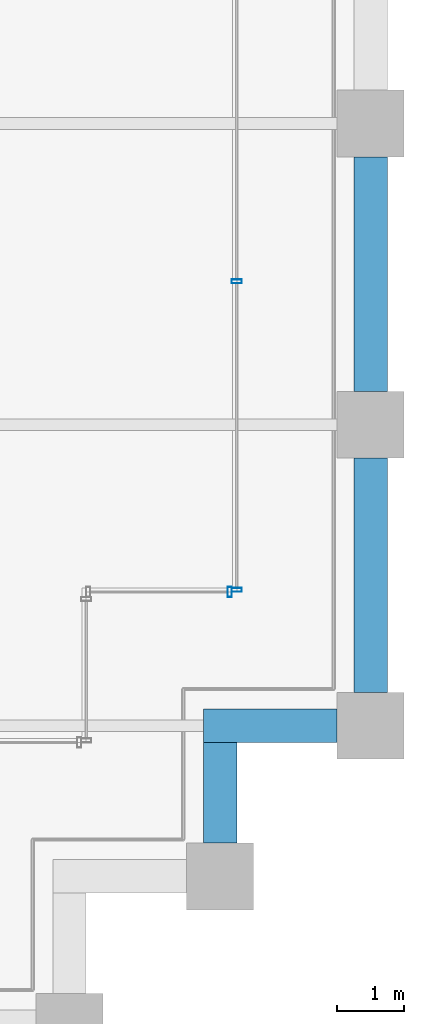
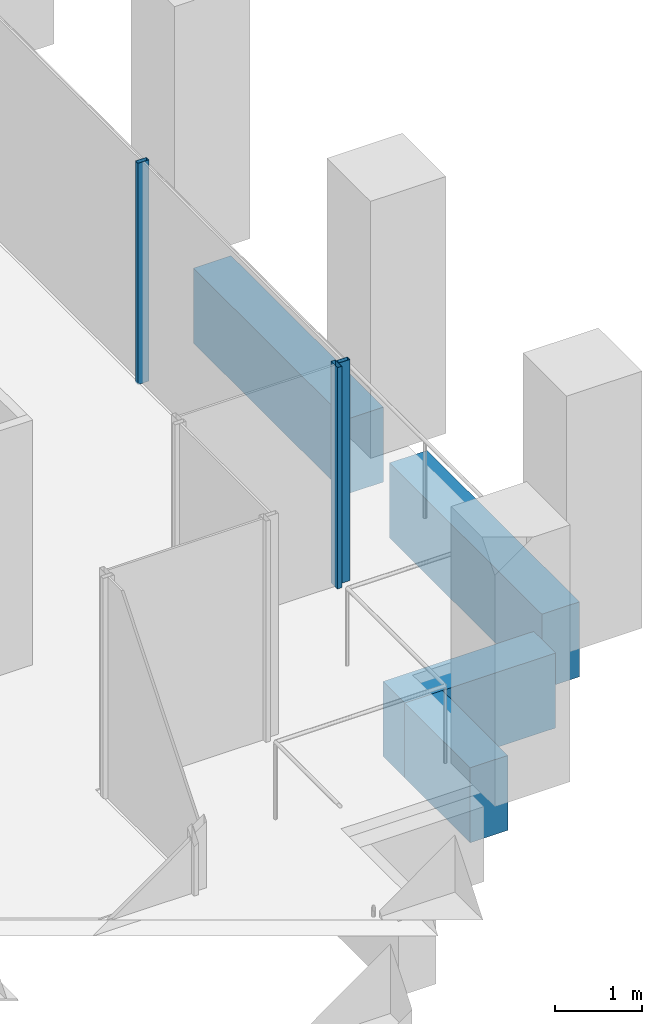
# One storey, part 37 of 46: 4 beams, 3 members, 2 elements without a shape of their own.
"""IFC4 building model written with IfcOpenShell, lengths in metres."""

import ifcopenshell
import ifcopenshell.guid

model = None  # the IFC model being written
_history = None  # IfcOwnerHistory: only IFC2X3 demands one
_inside = {}  # id of a spatial element -> (the spatial element, [elements in it])
_under = {}  # id of a project, library or spatial element -> (it, [spatial elements below it])
_declared = {}  # id of a project -> (the project, [libraries it declares])
_typed = {}  # id of a type object -> (the type object, [elements of that type])
_made_of = {}  # id of a material, layer set ... -> (it, [elements and type objects made of it])


def new_model(schema):
    """Start an empty IFC model of exactly this schema.

    Asked for "IFC4X3", IfcOpenShell would pick the latest addendum, in which some entities
    have other attributes; the version numbers below select the first issue.
    IFC2X3 requires an IfcOwnerHistory on every rooted entity: one is made here for all.
    """
    global model, _history
    if schema == "IFC4X3":
        model = ifcopenshell.file(schema_version=(4, 3, 0, 0))
    else:
        model = ifcopenshell.file(schema=schema)
    _inside.clear()
    _under.clear()
    _declared.clear()
    _typed.clear()
    _made_of.clear()
    _history = None
    if model.schema == "IFC2X3":
        org = make("IfcOrganization", Name="unknown")
        user = make(
            "IfcPersonAndOrganization",
            ThePerson=make("IfcPerson", FamilyName="unknown"),
            TheOrganization=org,
        )
        app = make(
            "IfcApplication",
            ApplicationDeveloper=org,
            Version="unknown",
            ApplicationFullName="unknown",
            ApplicationIdentifier="unknown",
        )
        _history = make(
            "IfcOwnerHistory",
            OwningUser=user,
            OwningApplication=app,
            ChangeAction="ADDED",
            CreationDate=0,
        )
    return model


def make(cls, **values):
    """One entity of the class cls with the attributes given. An attribute that is None is left unset."""
    return model.create_entity(
        cls, **{name: value for name, value in values.items() if value is not None}
    )


def rooted(cls, **values):
    """An entity with a GlobalId (a new one), such as an element, a storey or a relation."""
    return make(cls, GlobalId=ifcopenshell.guid.new(), OwnerHistory=_history, **values)


def si_unit(unit_type, name, prefix=None):
    """IfcSIUnit, for example si_unit("LENGTHUNIT", "METRE", prefix="MILLI")."""
    return make("IfcSIUnit", UnitType=unit_type, Prefix=prefix, Name=name)


def assignment(units):
    """IfcUnitAssignment: the units of a project."""
    return None if units is None else make("IfcUnitAssignment", Units=units)


def point(xyz):
    """IfcCartesianPoint."""
    return None if xyz is None else make("IfcCartesianPoint", Coordinates=xyz)


def direction(xyz):
    """IfcDirection."""
    return None if xyz is None else make("IfcDirection", DirectionRatios=xyz)


def frame(location, z_axis=None, x_axis=None):
    """IfcAxis2Placement3D, a coordinate frame: its origin and axes. An axis left out is left unset."""
    return make(
        "IfcAxis2Placement3D",
        Location=point(location),
        Axis=direction(z_axis),
        RefDirection=direction(x_axis),
    )


def frame_2d(location, x_axis=None):
    """IfcAxis2Placement2D, a coordinate frame in the plane: its origin and x axis."""
    return make(
        "IfcAxis2Placement2D", Location=point(location), RefDirection=direction(x_axis)
    )


def origin():
    """The frame at (0, 0, 0) with its axes left unset."""
    return frame((0.0, 0.0, 0.0))


def origin_2d():
    """The frame at (0, 0) in the plane with its x axis left unset."""
    return frame_2d((0.0, 0.0))


def place(relative_to, where):
    """IfcLocalPlacement: puts the frame where relative to a parent placement (None: the world)."""
    return make(
        "IfcLocalPlacement", PlacementRelTo=relative_to, RelativePlacement=where
    )


def context(
    kind, dimensions, precision=None, world=None, true_north=None, identifier=None
):
    """IfcGeometricRepresentationContext, for example the 3D "Model" context."""
    return make(
        "IfcGeometricRepresentationContext",
        ContextIdentifier=identifier,
        ContextType=kind,
        CoordinateSpaceDimension=dimensions,
        Precision=precision,
        WorldCoordinateSystem=world,
        TrueNorth=true_north,
    )


def subcontext(parent, identifier, kind, view, scale=None):
    """IfcGeometricRepresentationSubContext, for example "Body" below "Model"."""
    return make(
        "IfcGeometricRepresentationSubContext",
        ContextIdentifier=identifier,
        ContextType=kind,
        ParentContext=parent,
        TargetScale=scale,
        TargetView=view,
    )


def project(units=None, contexts=None):
    """IfcProject with its units and contexts."""
    return rooted(
        "IfcProject",
        Name="project",
        RepresentationContexts=contexts,
        UnitsInContext=assignment(units),
    )


def spatial(cls, under=None, at=None, **own):
    """A site, building, storey or space (cls), placed at a placement, below another one or the project."""
    s = rooted(cls, ObjectPlacement=at, **own)
    if under is not None:
        _under.setdefault(under.id(), (under, []))[1].append(s)
    return s


def profile(cls, at=None, kind="AREA", **sizes):
    """A parametric profile (cls). Its sizes go by their IFC names, for example OverallWidth=200.0."""
    return make(cls, ProfileType=kind, Position=at, **sizes)


def rectangle(**sizes):
    """IfcRectangleProfileDef."""
    return profile("IfcRectangleProfileDef", **sizes)


def hollow_rectangle(**sizes):
    """IfcRectangleHollowProfileDef."""
    return profile("IfcRectangleHollowProfileDef", **sizes)


def extrude(swept, where, along, depth):
    """IfcExtrudedAreaSolid: the profile swept, set in the frame where, extruded along a direction by depth."""
    return make(
        "IfcExtrudedAreaSolid",
        SweptArea=swept,
        Position=where,
        ExtrudedDirection=direction(along),
        Depth=depth,
    )


def shape(context_of_items, identifier, shape_type, items):
    """IfcShapeRepresentation: the items that make up one representation, for example the "Body"."""
    return make(
        "IfcShapeRepresentation",
        ContextOfItems=context_of_items,
        RepresentationIdentifier=identifier,
        RepresentationType=shape_type,
        Items=items,
    )


def material(Name=None, Category=None):
    """IfcMaterial."""
    return make("IfcMaterial", Name=Name, Category=Category)


def material_profile(
    of_material, cross_section, Name=None, Category=None, Priority=None
):
    """IfcMaterialProfile: a cross section and its material."""
    return make(
        "IfcMaterialProfile",
        Name=Name,
        Material=of_material,
        Profile=cross_section,
        Priority=Priority,
        Category=Category,
    )


def profile_set(profiles, Name=None, composite=None):
    """IfcMaterialProfileSet."""
    return make(
        "IfcMaterialProfileSet",
        Name=Name,
        MaterialProfiles=profiles,
        CompositeProfile=composite,
    )


def made_of(thing, what):
    """Note that an element or type object is made of a material, layer set ...; save() writes the relation."""
    if what is not None:
        _made_of.setdefault(what.id(), (what, []))[1].append(thing)
    return thing


def type_object(cls, material=None, **own):
    """A type object (cls), such as IfcWallType, which elements share."""
    return made_of(rooted(cls, **own), material)


def element(
    cls,
    number,
    at=None,
    inside=None,
    cuts=None,
    type_object=None,
    material=None,
    context=None,
    identifier="Body",
    shape_type=None,
    held_by="IfcProductDefinitionShape",
    body=None,
    shapes=None,
    **own,
):
    """One element of the class cls, such as IfcWall. Its Tag is "e" and its number.

    at: its placement. inside: the storey or other place that contains it. cuts: it is an
    opening in that element (IfcRelVoidsElement). A single representation is given by context,
    identifier, shape_type and body (its items); several are given by shapes. held_by: the class
    of the entity that holds the representations. save() writes the other relations.
    """
    e = rooted(cls, Tag="e%d" % number, ObjectPlacement=at, **own)
    if body is not None:
        shapes = [shape(context, identifier, shape_type, body)]
    if shapes is not None:
        e.Representation = make(held_by, Representations=shapes)
    if inside is not None:
        _inside.setdefault(inside.id(), (inside, []))[1].append(e)
    if cuts is not None:
        rooted(
            "IfcRelVoidsElement", RelatingBuildingElement=cuts, RelatedOpeningElement=e
        )
    if type_object is not None:
        _typed.setdefault(type_object.id(), (type_object, []))[1].append(e)
    return made_of(e, material)


def aggregate(whole, parts):
    """IfcRelAggregates: a whole, such as a stair, and the parts it consists of."""
    return rooted("IfcRelAggregates", RelatingObject=whole, RelatedObjects=parts)


def save(model, path):
    """Write the relations noted so far, then the file.

    IfcRelAggregates (storeys below a building ...), IfcRelContainedInSpatialStructure (elements
    in a storey), IfcRelDefinesByType, IfcRelAssociatesMaterial and IfcRelDeclares: one each for
    every whole, place, type object, material and project.
    """
    for whole, parts in _under.values():
        aggregate(whole, parts)
    for where, things in _inside.values():
        rooted(
            "IfcRelContainedInSpatialStructure",
            RelatedElements=things,
            RelatingStructure=where,
        )
    for kind, things in _typed.values():
        rooted("IfcRelDefinesByType", RelatedObjects=things, RelatingType=kind)
    for what, things in _made_of.values():
        rooted("IfcRelAssociatesMaterial", RelatedObjects=things, RelatingMaterial=what)
    for by, libraries in _declared.values():
        rooted("IfcRelDeclares", RelatingContext=by, RelatedDefinitions=libraries)
    model.write(path)


model = new_model("IFC4")

# Units and contexts
model_context = context("Model", 3, precision=1e-05, world=origin(), true_north=direction((0.0, 1.0)))
body_context = subcontext(model_context, "Body", "Model", "MODEL_VIEW")
ifc_project = project(units=[si_unit("LENGTHUNIT", "METRE"), si_unit("AREAUNIT", "SQUARE_METRE"), si_unit("VOLUMEUNIT", "CUBIC_METRE"), si_unit("PLANEANGLEUNIT", "RADIAN"), si_unit("MASSUNIT", "GRAM", prefix="KILO")], contexts=[model_context])

# Site, building, storey
site_placement = place(None, origin())
site = spatial("IfcSite", under=ifc_project, at=site_placement, CompositionType="ELEMENT")
building_placement = place(site_placement, origin())
building = spatial("IfcBuilding", under=site, at=building_placement, Name="Altepetl Exchange Towers", CompositionType="ELEMENT")
storey_placement = place(building_placement, frame((0.0, 0.0, 102.800048828125)))
storey = spatial("IfcBuildingStorey", under=building, at=storey_placement, Name="L25", CompositionType="ELEMENT", Elevation=102.800048828125)

# Curtain wall, member
ifc_material_1 = material(Name="Aluminium 6063-T6 glazing", Category="aluminium")
curtain_wall_type = type_object("IfcCurtainWallType", Name="Loggia glazing system", PredefinedType="NOTDEFINED", material=ifc_material_1)
curtain_wall_1_placement = place(storey_placement, origin())
curtain_wall_1 = element("IfcCurtainWall", 1, at=curtain_wall_1_placement, inside=storey, type_object=curtain_wall_type, Name="CW1 run", PredefinedType="NOTDEFINED")
ifc_material_2 = material(Name="Aluminium 6063-T6", Category="aluminium")
ifc_material_profile_1 = material_profile(ifc_material_2, hollow_rectangle(XDim=0.06005859375, YDim=0.14990234375, WallThickness=0.0029296875, at=origin_2d()), Name="Mullion 60x150 aluminium")
ifc_profile_set_1 = profile_set([ifc_material_profile_1], Name="Aluminium 6063-T6")
member_type = type_object("IfcMemberType", Name="Mullion 60x150 aluminium", PredefinedType="MULLION", material=ifc_profile_set_1)
member_1_placement = place(storey_placement, frame((123.89501953125, 33.5, 0.0)))
member_1 = element("IfcMember", 2, at=member_1_placement, type_object=member_type, Name="MU1 mullion", PredefinedType="MULLION", context=body_context, shape_type="SweptSolid", body=[
    extrude(hollow_rectangle(XDim=0.06005859375, YDim=0.14990234375, WallThickness=0.0029296875, at=origin_2d()), origin(), (0.0, 0.0, 1.0), 3.099853515625),
])
aggregate(curtain_wall_1, [member_1])

# Curtain wall, members
curtain_wall_2_placement = place(storey_placement, origin())
curtain_wall_2 = element("IfcCurtainWall", 3, at=curtain_wall_2_placement, inside=storey, type_object=curtain_wall_type, Name="CW1 run", PredefinedType="NOTDEFINED")
member_2_placement = place(storey_placement, frame((124.0, 33.530029296875, 0.0), z_axis=(0.0, 0.0, 1.0), x_axis=(0.0, 1.0, 0.0)))
member_2 = element("IfcMember", 4, at=member_2_placement, type_object=member_type, Name="MU1 mullion", PredefinedType="MULLION", context=body_context, shape_type="SweptSolid", body=[
    extrude(hollow_rectangle(XDim=0.06005859375, YDim=0.14990234375, WallThickness=0.0029296875, at=origin_2d()), origin(), (0.0, 0.0, 1.0), 3.099853515625),
])
member_3_placement = place(storey_placement, frame((124.0, 38.1416015625, 0.0), z_axis=(0.0, 0.0, 1.0), x_axis=(0.0, 1.0, 0.0)))
member_3 = element("IfcMember", 5, at=member_3_placement, type_object=member_type, Name="MU1 mullion", PredefinedType="MULLION", context=body_context, shape_type="SweptSolid", body=[
    extrude(hollow_rectangle(XDim=0.06005859375, YDim=0.14990234375, WallThickness=0.0029296875, at=origin_2d()), origin(), (0.0, 0.0, 1.0), 3.099853515625),
])
aggregate(curtain_wall_2, [member_2, member_3])

# Beams
ifc_material_3 = material(Name="Concrete C50/60 precast with cantera blanca facing", Category="concrete")
ifc_material_profile_2 = material_profile(ifc_material_3, rectangle(XDim=0.5, YDim=1.050048828125, at=origin_2d()), Name="500 x 1050")
ifc_profile_set_2 = profile_set([ifc_material_profile_2], Name="Concrete C50/60 precast with cantera blanca facing")
beam_type = type_object("IfcBeamType", Name="Spandrel beam 500x1050 cantera blanca", PredefinedType="SPANDREL", material=ifc_profile_set_2)
beam_1_placement = place(storey_placement, frame((123.75, 29.75, -0.675048828125), z_axis=(0.0, 1.0, 0.0), x_axis=(-1.0, 0.0, 0.0)))
element("IfcBeam", 6, at=beam_1_placement, inside=storey, type_object=beam_type, Name="sp:B:L25:007", PredefinedType="SPANDREL", context=body_context, shape_type="SweptSolid", body=[
    extrude(rectangle(XDim=0.5, YDim=1.050048828125, at=origin_2d()), origin(), (0.0, 0.0, 1.0), 1.5),
])
beam_2_placement = place(storey_placement, frame((123.5, 31.5, -0.675048828125), z_axis=(1.0, 0.0, 0.0), x_axis=(0.0, 1.0, 0.0)))
element("IfcBeam", 7, at=beam_2_placement, inside=storey, type_object=beam_type, Name="sp:B:L25:008", PredefinedType="SPANDREL", context=body_context, shape_type="SweptSolid", body=[
    extrude(rectangle(XDim=0.5, YDim=1.050048828125, at=origin_2d()), origin(), (0.0, 0.0, 1.0), 2.0),
])
for number, where, z_axis, x_axis, name in (
    (8, (126.0, 32.0, -0.675048828125), (0.0, 1.0, 0.0), (-1.0, 0.0, 0.0), "sp:B:L25:009"),
    (9, (126.0, 36.5, -0.675048828125), (0.0, 1.0, 0.0), (-1.0, 0.0, 0.0), "sp:B:L25:010"),
):
    element("IfcBeam", number, at=place(storey_placement, frame(where, z_axis=z_axis, x_axis=x_axis)), inside=storey, type_object=beam_type, Name=name, PredefinedType="SPANDREL", context=body_context, shape_type="SweptSolid", body=[
        extrude(rectangle(XDim=0.5, YDim=1.050048828125, at=origin_2d()), origin(), (0.0, 0.0, 1.0), 3.5),
    ])

save(model, "model.ifc")
